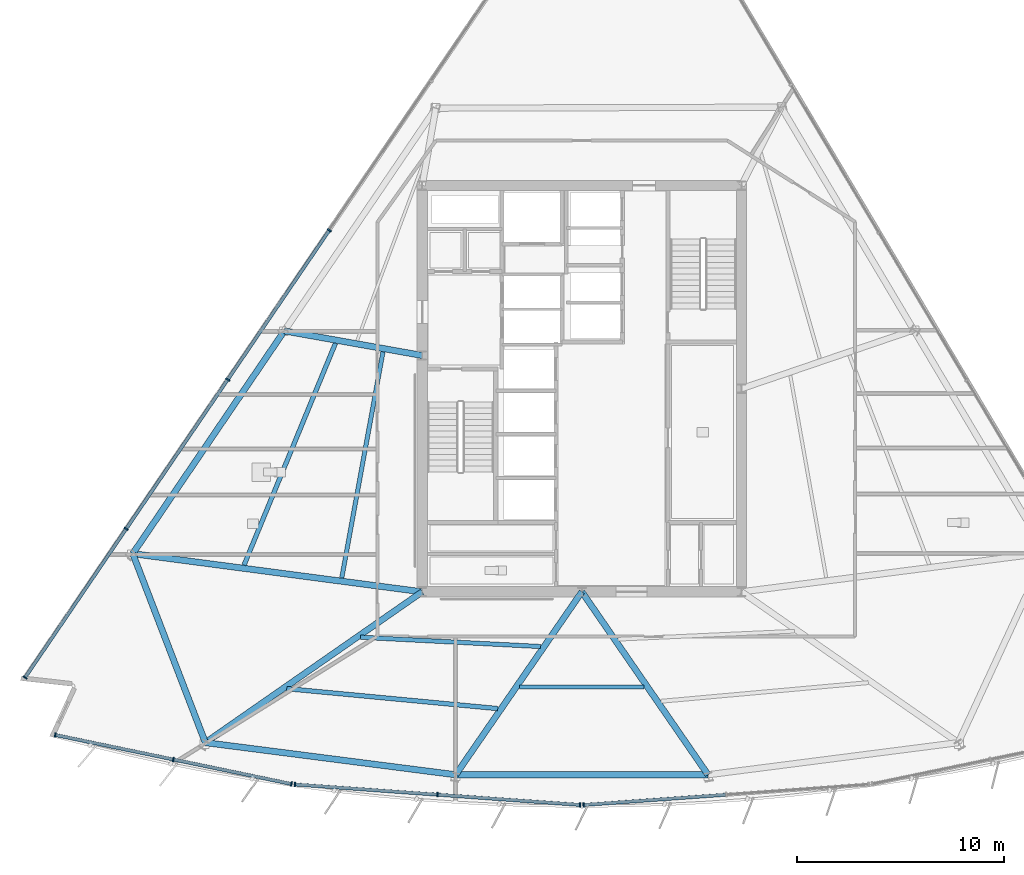
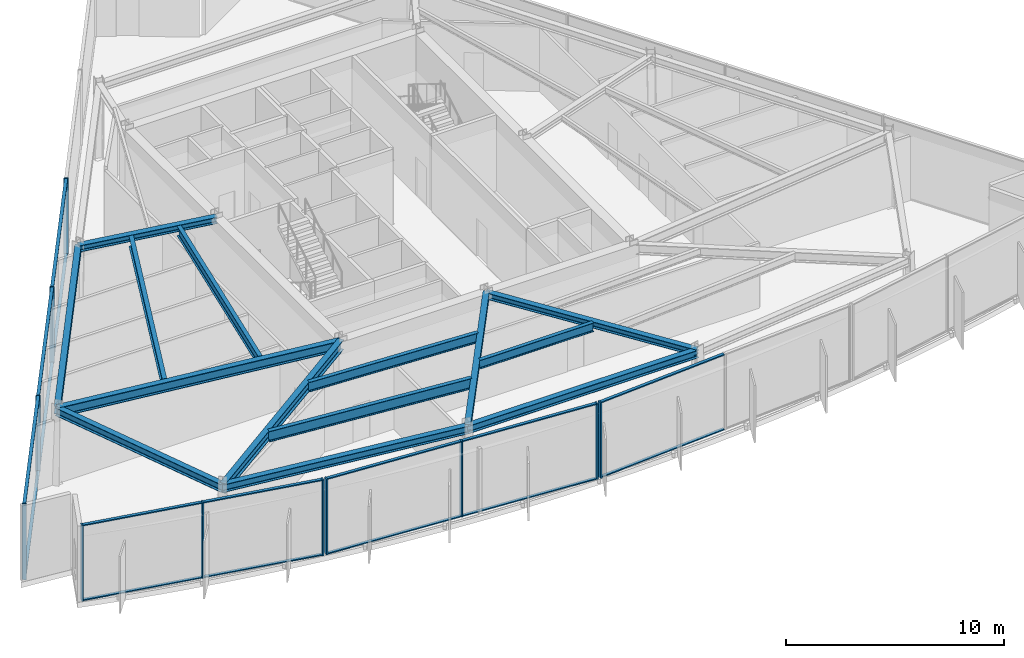
# One storey, part 2 of 14: 27 members, 14 beams, 4 elements without a shape of their own.
"""IFC4 building model written with IfcOpenShell, lengths in metres."""

from ifc_helpers import new_model, si_unit, direction, frame, origin, origin_2d, place, context, subcontext, project, spatial, rectangle, i_section, extrude, material, material_profile, profile_set, type_object, element, aggregate, save


model = new_model("IFC4")

# Units and contexts
model_context = context("Model", 3, precision=1e-05, world=origin(), true_north=direction((0.0, 1.0)))
body_context = subcontext(model_context, "Body", "Model", "MODEL_VIEW")
ifc_project = project(units=[si_unit("LENGTHUNIT", "METRE"), si_unit("AREAUNIT", "SQUARE_METRE"), si_unit("VOLUMEUNIT", "CUBIC_METRE"), si_unit("PLANEANGLEUNIT", "RADIAN"), si_unit("MASSUNIT", "GRAM", prefix="KILO")], contexts=[model_context])

# Site, building, storey
site_placement = place(None, origin())
site = spatial("IfcSite", under=ifc_project, at=site_placement, CompositionType="ELEMENT")
building_placement = place(site_placement, origin())
building = spatial("IfcBuilding", under=site, at=building_placement, Name="Savorim Split Tower", CompositionType="ELEMENT")
storey_placement = place(building_placement, frame((0.0, 0.0, 134.10009765625)))
storey = spatial("IfcBuildingStorey", under=building, at=storey_placement, Name="L35", CompositionType="ELEMENT", Elevation=134.10009765625)

# Beams
ifc_material_1 = material(Name="Steel S355", Category="steel")
ifc_material_profile_1 = material_profile(ifc_material_1, i_section(OverallWidth=0.199951171875, OverallDepth=0.5, WebThickness=0.01025390625, FlangeThickness=0.01611328125, FilletRadius=0.02099609375, at=origin_2d()), Name="IPE 500")
ifc_profile_set_1 = profile_set([ifc_material_profile_1], Name="Steel S355")
beam_type_1 = type_object("IfcBeamType", Name="BM-JST-IPE500", PredefinedType="JOIST", material=ifc_profile_set_1)
beam_1_placement = place(storey_placement, frame((-3.00439453125, -13.9873046875, 4.0), z_axis=(1.0, 0.0, 0.0), x_axis=(0.0, 1.0, 0.0)))
element("IfcBeam", 1, at=beam_1_placement, inside=storey, type_object=beam_type_1, Name="L35 Secondary Floor Joist JS-03", PredefinedType="JOIST", context=body_context, shape_type="SweptSolid", body=[
    extrude(i_section(OverallWidth=0.199951171875, OverallDepth=0.5, WebThickness=0.01025390625, FlangeThickness=0.01611328125, FilletRadius=0.02099609375, at=origin_2d()), origin(), (0.0, 0.0, 1.0), 6.0087890625),
])
ifc_material_profile_2 = material_profile(ifc_material_1, i_section(OverallWidth=0.2099609375, OverallDepth=0.550048828125, WebThickness=0.010986328125, FlangeThickness=0.01708984375, FilletRadius=0.02392578125, at=origin_2d()), Name="IPE 550")
ifc_profile_set_2 = profile_set([ifc_material_profile_2], Name="Steel S355")
beam_type_2 = type_object("IfcBeamType", Name="BM-JST-IPE550", PredefinedType="JOIST", material=ifc_profile_set_2)
beam_2_placement = place(storey_placement, frame((-10.67724609375, -11.58984375, 3.974853515625), z_axis=(0.998671463808, -0.05152967471, 0.0), x_axis=(0.05152967471, 0.998671463808, 0.0)))
element("IfcBeam", 2, at=beam_2_placement, inside=storey, type_object=beam_type_2, Name="L35 Secondary Floor Joist JS-02", PredefinedType="JOIST", context=body_context, shape_type="SweptSolid", body=[
    extrude(i_section(OverallWidth=0.2099609375, OverallDepth=0.550048828125, WebThickness=0.010986328125, FlangeThickness=0.01708984375, FilletRadius=0.02392578125, at=origin_2d()), origin(), (0.0, 0.0, 1.0), 8.703369140625),
])
beam_3_placement = place(storey_placement, frame((-9.5908203125, 2.174072265625, 3.974853515625), z_axis=(-0.179470923249, -0.983763278288, 0.0), x_axis=(0.983763278288, -0.179470923249, 0.0)))
element("IfcBeam", 3, at=beam_3_placement, inside=storey, type_object=beam_type_2, Name="L35 Secondary Floor Joist JS-11", PredefinedType="JOIST", context=body_context, shape_type="SweptSolid", body=[
    extrude(i_section(OverallWidth=0.2099609375, OverallDepth=0.550048828125, WebThickness=0.010986328125, FlangeThickness=0.01708984375, FilletRadius=0.02392578125, at=origin_2d()), origin(), (0.0, 0.0, 1.0), 11.081298828125),
])
ifc_material_profile_3 = material_profile(ifc_material_1, i_section(OverallWidth=0.219970703125, OverallDepth=0.60009765625, WebThickness=0.011962890625, FlangeThickness=0.01904296875, FilletRadius=0.02392578125, at=origin_2d()), Name="IPE 600")
ifc_profile_set_3 = profile_set([ifc_material_profile_3], Name="Steel S355")
beam_type_3 = type_object("IfcBeamType", Name="BM-JST-IPE600", PredefinedType="JOIST", material=ifc_profile_set_3)
beam_4_placement = place(storey_placement, frame((-14.233154296875, -14.069091796875, 3.949951171875), z_axis=(0.995564745807, -0.094078886614, 0.0), x_axis=(0.094078886614, 0.995564745807, 0.0)))
element("IfcBeam", 4, at=beam_4_placement, inside=storey, type_object=beam_type_3, Name="L35 Secondary Floor Joist JS-01", PredefinedType="JOIST", context=body_context, shape_type="SweptSolid", body=[
    extrude(i_section(OverallWidth=0.219970703125, OverallDepth=0.60009765625, WebThickness=0.011962890625, FlangeThickness=0.01904296875, FilletRadius=0.02392578125, at=origin_2d()), origin(), (0.0, 0.0, 1.0), 10.224609375),
])
beam_5_placement = place(storey_placement, frame((-11.884033203125, 2.586181640625, 3.949951171875), z_axis=(-0.381084087658, -0.9245403821, 0.0), x_axis=(0.9245403821, -0.381084087658, 0.0)))
element("IfcBeam", 5, at=beam_5_placement, inside=storey, type_object=beam_type_3, Name="L35 Secondary Floor Joist JS-10", PredefinedType="JOIST", context=body_context, shape_type="SweptSolid", body=[
    extrude(i_section(OverallWidth=0.219970703125, OverallDepth=0.60009765625, WebThickness=0.011962890625, FlangeThickness=0.01904296875, FilletRadius=0.02392578125, at=origin_2d()), origin(), (0.0, 0.0, 1.0), 11.570068359375),
])
ifc_material_profile_4 = material_profile(ifc_material_1, i_section(OverallWidth=0.300048828125, OverallDepth=0.360107421875, WebThickness=0.012451171875, FlangeThickness=0.0224609375, FilletRadius=0.027099609375, at=origin_2d()), Name="HEB 360")
ifc_profile_set_4 = profile_set([ifc_material_profile_4], Name="Steel S355")
beam_type_4 = type_object("IfcBeamType", Name="BM-PRI-HEB360", PredefinedType="BEAM", material=ifc_profile_set_4)
for number, where, z_axis, x_axis, name in (
    (6, (-6.085205078125, -18.221923828125, 4.06982421875), (0.567799495982, 0.823166892169, 0.0), (-0.823166892169, 0.567799495982, 0.0), "L35 Primary Floor Girder RG-02"),
    (7, (6.085205078125, -18.221923828125, 4.06982421875), (-0.567799495982, 0.823166892169, 0.0), (-0.823166892169, -0.567799495982, 0.0), "L35 Primary Floor Girder RG-03"),
):
    element("IfcBeam", number, at=place(storey_placement, frame(where, z_axis=z_axis, x_axis=x_axis)), inside=storey, type_object=beam_type_4, Name=name, PredefinedType="BEAM", context=body_context, shape_type="SweptSolid", body=[
        extrude(i_section(OverallWidth=0.300048828125, OverallDepth=0.360107421875, WebThickness=0.012451171875, FlangeThickness=0.0224609375, FilletRadius=0.027099609375, at=origin_2d()), origin(), (0.0, 0.0, 1.0), 10.71728515625),
    ])
beam_6_placement = place(storey_placement, frame((-14.35009765625, 3.183837890625, 4.06982421875), z_axis=(0.984521925517, -0.175261456619, 0.0), x_axis=(0.175261456619, 0.984521925517, 0.0)))
element("IfcBeam", 8, at=beam_6_placement, inside=storey, type_object=beam_type_4, Name="L35 Primary Floor Girder RG-09", PredefinedType="BEAM", context=body_context, shape_type="SweptSolid", body=[
    extrude(i_section(OverallWidth=0.300048828125, OverallDepth=0.360107421875, WebThickness=0.012451171875, FlangeThickness=0.0224609375, FilletRadius=0.027099609375, at=origin_2d()), origin(), (0.0, 0.0, 1.0), 6.754638671875),
])
ifc_material_profile_5 = material_profile(ifc_material_1, i_section(OverallWidth=0.300048828125, OverallDepth=0.550048828125, WebThickness=0.014892578125, FlangeThickness=0.029052734375, FilletRadius=0.027099609375, at=origin_2d()), Name="HEB 550")
ifc_profile_set_5 = profile_set([ifc_material_profile_5], Name="Steel S355")
beam_type_5 = type_object("IfcBeamType", Name="BM-PRI-HEB550", PredefinedType="BEAM", material=ifc_profile_set_5)
beam_7_placement = place(storey_placement, frame((-18.156982421875, -16.672119140625, 3.974853515625), z_axis=(0.82098762622, 0.57094598483, 0.0), x_axis=(-0.57094598483, 0.82098762622, 0.0)))
element("IfcBeam", 9, at=beam_7_placement, inside=storey, type_object=beam_type_5, Name="L35 Primary Floor Girder RG-01", PredefinedType="BEAM", context=body_context, shape_type="SweptSolid", body=[
    extrude(i_section(OverallWidth=0.300048828125, OverallDepth=0.550048828125, WebThickness=0.014892578125, FlangeThickness=0.029052734375, FilletRadius=0.027099609375, at=origin_2d()), origin(), (0.0, 0.0, 1.0), 12.737060546875),
])
beam_8_placement = place(storey_placement, frame((-21.65869140625, -7.559326171875, 3.974853515625), z_axis=(0.991418433032, -0.130726778603, 0.0), x_axis=(0.130726778603, 0.991418433032, 0.0)))
element("IfcBeam", 10, at=beam_8_placement, inside=storey, type_object=beam_type_5, Name="L35 Primary Floor Girder RG-10", PredefinedType="BEAM", context=body_context, shape_type="SweptSolid", body=[
    extrude(i_section(OverallWidth=0.300048828125, OverallDepth=0.550048828125, WebThickness=0.014892578125, FlangeThickness=0.029052734375, FilletRadius=0.027099609375, at=origin_2d()), origin(), (0.0, 0.0, 1.0), 14.07958984375),
])
ifc_material_profile_6 = material_profile(ifc_material_1, i_section(OverallWidth=0.300048828125, OverallDepth=0.43994140625, WebThickness=0.011474609375, FlangeThickness=0.02099609375, FilletRadius=0.027099609375, at=origin_2d()), Name="HEA 450")
ifc_profile_set_6 = profile_set([ifc_material_profile_6], Name="Steel S355")
beam_type_6 = type_object("IfcBeamType", Name="BM-SPN-HEA450", PredefinedType="SPANDREL", material=ifc_profile_set_6)
beam_9_placement = place(storey_placement, frame((-18.156982421875, -16.672119140625, 4.02978515625), z_axis=(0.99185946223, -0.127337375445, 0.0), x_axis=(0.127337375445, 0.99185946223, 0.0)))
element("IfcBeam", 11, at=beam_9_placement, inside=storey, type_object=beam_type_6, Name="L35 Perimeter Spandrel Beam 1", PredefinedType="SPANDREL", context=body_context, shape_type="SweptSolid", body=[
    extrude(i_section(OverallWidth=0.300048828125, OverallDepth=0.43994140625, WebThickness=0.011474609375, FlangeThickness=0.02099609375, FilletRadius=0.027099609375, at=origin_2d()), origin(), (0.0, 0.0, 1.0), 12.1708984375),
])
beam_10_placement = place(storey_placement, frame((-6.085205078125, -18.221923828125, 4.02978515625), z_axis=(1.0, 0.0, 0.0), x_axis=(0.0, 1.0, 0.0)))
element("IfcBeam", 12, at=beam_10_placement, inside=storey, type_object=beam_type_6, Name="L35 Perimeter Spandrel Beam 2", PredefinedType="SPANDREL", context=body_context, shape_type="SweptSolid", body=[
    extrude(i_section(OverallWidth=0.300048828125, OverallDepth=0.43994140625, WebThickness=0.011474609375, FlangeThickness=0.02099609375, FilletRadius=0.027099609375, at=origin_2d()), origin(), (0.0, 0.0, 1.0), 12.17041015625),
])
beam_11_placement = place(storey_placement, frame((-14.35009765625, 3.183837890625, 4.02978515625), z_axis=(-0.562480635631, -0.826810458655, 0.0), x_axis=(0.826810458655, -0.562480635631, 0.0)))
element("IfcBeam", 13, at=beam_11_placement, inside=storey, type_object=beam_type_6, Name="L35 Perimeter Spandrel Beam 9", PredefinedType="SPANDREL", context=body_context, shape_type="SweptSolid", body=[
    extrude(i_section(OverallWidth=0.300048828125, OverallDepth=0.43994140625, WebThickness=0.011474609375, FlangeThickness=0.02099609375, FilletRadius=0.027099609375, at=origin_2d()), origin(), (0.0, 0.0, 1.0), 12.993408203125),
])
beam_12_placement = place(storey_placement, frame((-21.65869140625, -7.559326171875, 4.02978515625), z_axis=(0.358692499445, -0.933455778728, 0.0), x_axis=(0.933455778728, 0.358692499445, 0.0)))
element("IfcBeam", 14, at=beam_12_placement, inside=storey, type_object=beam_type_6, Name="L35 Perimeter Spandrel Beam 10", PredefinedType="SPANDREL", context=body_context, shape_type="SweptSolid", body=[
    extrude(i_section(OverallWidth=0.300048828125, OverallDepth=0.43994140625, WebThickness=0.011474609375, FlangeThickness=0.02099609375, FilletRadius=0.027099609375, at=origin_2d()), origin(), (0.0, 0.0, 1.0), 9.762451171875),
])

# Curtain wall, members
ifc_material_2 = material(Name="Dark Ceramic-Fritted Insulated Glass", Category="glass")
curtain_wall_type = type_object("IfcCurtainWallType", Name="CW-SKY-ATRIUM", PredefinedType="NOTDEFINED", material=ifc_material_2)
curtain_wall_1_placement = place(storey_placement, origin())
curtain_wall_1 = element("IfcCurtainWall", 15, at=curtain_wall_1_placement, inside=storey, type_object=curtain_wall_type, Name="L35 Curtain Wall CW-L35-SF1", PredefinedType="NOTDEFINED")
ifc_material_3 = material(Name="Charcoal Anodised Aluminium", Category="aluminium")
ifc_material_profile_7 = material_profile(ifc_material_3, rectangle(XDim=0.219970703125, YDim=0.070068359375, at=origin_2d()), Name="ALU-M 220x70")
ifc_profile_set_7 = profile_set([ifc_material_profile_7], Name="Charcoal Anodised Aluminium")
member_type_1 = type_object("IfcMemberType", Name="CWM-220x70", PredefinedType="MULLION", material=ifc_profile_set_7)
member_1_placement = place(storey_placement, frame((-25.3994140625, -16.30078125, 0.0), z_axis=(0.0, 0.0, 1.0), x_axis=(0.203209964912, 0.979135184824, 0.0)))
member_1 = element("IfcMember", 16, at=member_1_placement, type_object=member_type_1, Name="CW-05 mullion 1", PredefinedType="MULLION", context=body_context, shape_type="SweptSolid", body=[
    extrude(rectangle(XDim=0.219970703125, YDim=0.070068359375, at=origin_2d()), origin(), (0.0, 0.0, 1.0), 4.25),
])
member_2_placement = place(storey_placement, frame((-19.70458984375, -17.482666015625, 0.0), z_axis=(0.0, 0.0, 1.0), x_axis=(0.203209964912, 0.979135184824, 0.0)))
member_2 = element("IfcMember", 17, at=member_2_placement, type_object=member_type_1, Name="CW-05 mullion 2", PredefinedType="MULLION", context=body_context, shape_type="SweptSolid", body=[
    extrude(rectangle(XDim=0.219970703125, YDim=0.070068359375, at=origin_2d()), origin(), (0.0, 0.0, 1.0), 4.25),
])
member_3_placement = place(storey_placement, frame((-14.009521484375, -18.66455078125, 0.0), z_axis=(0.0, 0.0, 1.0), x_axis=(0.203209964912, 0.979135184824, 0.0)))
member_3 = element("IfcMember", 18, at=member_3_placement, type_object=member_type_1, Name="CW-05 mullion 3", PredefinedType="MULLION", context=body_context, shape_type="SweptSolid", body=[
    extrude(rectangle(XDim=0.219970703125, YDim=0.070068359375, at=origin_2d()), origin(), (0.0, 0.0, 1.0), 4.25),
])

curtain_wall_2_placement = place(storey_placement, origin())
curtain_wall_2 = element("IfcCurtainWall", 19, at=curtain_wall_2_placement, inside=storey, type_object=curtain_wall_type, Name="L35 Curtain Wall CW-L35-SF2", PredefinedType="NOTDEFINED")
member_4_placement = place(storey_placement, frame((-13.837646484375, -18.6884765625, 0.0), z_axis=(0.0, 0.0, 1.0), x_axis=(0.071560918492, 0.997436231017, 0.0)))
member_4 = element("IfcMember", 20, at=member_4_placement, type_object=member_type_1, Name="CW-05 mullion 1", PredefinedType="MULLION", context=body_context, shape_type="SweptSolid", body=[
    extrude(rectangle(XDim=0.219970703125, YDim=0.070068359375, at=origin_2d()), origin(), (0.0, 0.0, 1.0), 4.25),
])
member_5_placement = place(storey_placement, frame((-6.9619140625, -19.181884765625, 0.0), z_axis=(0.0, 0.0, 1.0), x_axis=(0.071560918492, 0.997436231017, 0.0)))
member_5 = element("IfcMember", 21, at=member_5_placement, type_object=member_type_1, Name="CW-05 mullion 2", PredefinedType="MULLION", context=body_context, shape_type="SweptSolid", body=[
    extrude(rectangle(XDim=0.219970703125, YDim=0.070068359375, at=origin_2d()), origin(), (0.0, 0.0, 1.0), 4.25),
])
member_6_placement = place(storey_placement, frame((-0.086181640625, -19.675048828125, 0.0), z_axis=(0.0, 0.0, 1.0), x_axis=(0.071560918492, 0.997436231017, 0.0)))
member_6 = element("IfcMember", 22, at=member_6_placement, type_object=member_type_1, Name="CW-05 mullion 3", PredefinedType="MULLION", context=body_context, shape_type="SweptSolid", body=[
    extrude(rectangle(XDim=0.219970703125, YDim=0.070068359375, at=origin_2d()), origin(), (0.0, 0.0, 1.0), 4.25),
])

# Curtain wall, member
curtain_wall_3_placement = place(storey_placement, origin())
curtain_wall_3 = element("IfcCurtainWall", 23, at=curtain_wall_3_placement, inside=storey, type_object=curtain_wall_type, Name="L35 Curtain Wall CW-L35-SF3", PredefinedType="NOTDEFINED")
member_7_placement = place(storey_placement, frame((0.086181640625, -19.675048828125, 0.0), z_axis=(0.0, 0.0, 1.0), x_axis=(-0.071560918492, 0.997436231017, 0.0)))
member_7 = element("IfcMember", 24, at=member_7_placement, type_object=member_type_1, Name="CW-05 mullion 1", PredefinedType="MULLION", context=body_context, shape_type="SweptSolid", body=[
    extrude(rectangle(XDim=0.219970703125, YDim=0.070068359375, at=origin_2d()), origin(), (0.0, 0.0, 1.0), 4.25),
])

# Curtain wall, members
curtain_wall_4_placement = place(storey_placement, origin())
curtain_wall_4 = element("IfcCurtainWall", 25, at=curtain_wall_4_placement, inside=storey, type_object=curtain_wall_type, Name="L35 Curtain Wall CW-L35-WEST", PredefinedType="NOTDEFINED")
member_8_placement = place(storey_placement, frame((-12.179443359375, 8.04052734375, 0.0), z_axis=(0.0, 0.0, 1.0), x_axis=(0.826819743155, -0.562466987768, 0.0)))
member_8 = element("IfcMember", 26, at=member_8_placement, type_object=member_type_1, Name="CW-05 mullion 3", PredefinedType="MULLION", context=body_context, shape_type="SweptSolid", body=[
    extrude(rectangle(XDim=0.219970703125, YDim=0.070068359375, at=origin_2d()), origin(), (0.0, 0.0, 1.0), 4.25),
])
member_9_placement = place(storey_placement, frame((-17.07763671875, 0.83984375, 0.0), z_axis=(0.0, 0.0, 1.0), x_axis=(0.826819743155, -0.562466987768, 0.0)))
member_9 = element("IfcMember", 27, at=member_9_placement, type_object=member_type_1, Name="CW-05 mullion 4", PredefinedType="MULLION", context=body_context, shape_type="SweptSolid", body=[
    extrude(rectangle(XDim=0.219970703125, YDim=0.070068359375, at=origin_2d()), origin(), (0.0, 0.0, 1.0), 4.25),
])
member_10_placement = place(storey_placement, frame((-21.97607421875, -6.360595703125, 0.0), z_axis=(0.0, 0.0, 1.0), x_axis=(0.826819743155, -0.562466987768, 0.0)))
member_10 = element("IfcMember", 28, at=member_10_placement, type_object=member_type_1, Name="CW-05 mullion 5", PredefinedType="MULLION", context=body_context, shape_type="SweptSolid", body=[
    extrude(rectangle(XDim=0.219970703125, YDim=0.070068359375, at=origin_2d()), origin(), (0.0, 0.0, 1.0), 4.25),
])
member_11_placement = place(storey_placement, frame((-26.854736328125, -13.5322265625, 0.0), z_axis=(0.0, 0.0, 1.0), x_axis=(0.826819743155, -0.562466987768, 0.0)))
member_11 = element("IfcMember", 29, at=member_11_placement, type_object=member_type_1, Name="CW-05 mullion 6", PredefinedType="MULLION", context=body_context, shape_type="SweptSolid", body=[
    extrude(rectangle(XDim=0.219970703125, YDim=0.070068359375, at=origin_2d()), origin(), (0.0, 0.0, 1.0), 4.25),
])

# Member
ifc_material_profile_8 = material_profile(ifc_material_3, rectangle(XDim=0.159912109375, YDim=0.06005859375, at=origin_2d()), Name="ALU-T 160x60")
ifc_profile_set_8 = profile_set([ifc_material_profile_8], Name="Charcoal Anodised Aluminium")
member_type_2 = type_object("IfcMemberType", Name="CWT-160x60", PredefinedType="USERDEFINED", material=ifc_profile_set_8)
member_12_placement = place(storey_placement, frame((-25.365234375, -16.307861328125, 0.02978515625), z_axis=(0.979134953981, -0.203211077189, 0.0), x_axis=(0.203211077189, 0.979134953981, 0.0)))
member_12 = element("IfcMember", 30, at=member_12_placement, type_object=member_type_2, Name="CW-05 transom 1.1", ObjectType="TRANSOM", PredefinedType="USERDEFINED", context=body_context, shape_type="SweptSolid", body=[
    extrude(rectangle(XDim=0.159912109375, YDim=0.06005859375, at=origin_2d()), origin(), (0.0, 0.0, 1.0), 5.746337890625),
])

member_13_placement = place(storey_placement, frame((-25.365234375, -16.307861328125, 4.219970703125), z_axis=(0.979134953981, -0.203211077189, 0.0), x_axis=(0.203211077189, 0.979134953981, 0.0)))
member_13 = element("IfcMember", 31, at=member_13_placement, type_object=member_type_2, Name="CW-05 transom 1.2", ObjectType="TRANSOM", PredefinedType="USERDEFINED", context=body_context, shape_type="SweptSolid", body=[
    extrude(rectangle(XDim=0.159912109375, YDim=0.06005859375, at=origin_2d()), origin(), (0.0, 0.0, 1.0), 5.746337890625),
])

member_14_placement = place(storey_placement, frame((-19.670166015625, -17.48974609375, 0.02978515625), z_axis=(0.979133199419, -0.20321953104, 0.0), x_axis=(0.20321953104, 0.979133199419, 0.0)))
member_14 = element("IfcMember", 32, at=member_14_placement, type_object=member_type_2, Name="CW-05 transom 2.1", ObjectType="TRANSOM", PredefinedType="USERDEFINED", context=body_context, shape_type="SweptSolid", body=[
    extrude(rectangle(XDim=0.159912109375, YDim=0.06005859375, at=origin_2d()), origin(), (0.0, 0.0, 1.0), 5.74609375),
])

member_15_placement = place(storey_placement, frame((-19.670166015625, -17.48974609375, 4.219970703125), z_axis=(0.979133199419, -0.20321953104, 0.0), x_axis=(0.20321953104, 0.979133199419, 0.0)))
member_15 = element("IfcMember", 33, at=member_15_placement, type_object=member_type_2, Name="CW-05 transom 2.2", ObjectType="TRANSOM", PredefinedType="USERDEFINED", context=body_context, shape_type="SweptSolid", body=[
    extrude(rectangle(XDim=0.159912109375, YDim=0.06005859375, at=origin_2d()), origin(), (0.0, 0.0, 1.0), 5.74609375),
])

aggregate(curtain_wall_1, [member_1, member_2, member_3, member_12, member_13, member_14, member_15])

member_16_placement = place(storey_placement, frame((-13.802734375, -18.69091796875, 0.02978515625), z_axis=(0.997436311062, -0.071559802781, 0.0), x_axis=(0.071559802781, 0.997436311062, 0.0)))
member_16 = element("IfcMember", 34, at=member_16_placement, type_object=member_type_2, Name="CW-05 transom 1.1", ObjectType="TRANSOM", PredefinedType="USERDEFINED", context=body_context, shape_type="SweptSolid", body=[
    extrude(rectangle(XDim=0.159912109375, YDim=0.06005859375, at=origin_2d()), origin(), (0.0, 0.0, 1.0), 6.823486328125),
])

member_17_placement = place(storey_placement, frame((-13.802734375, -18.69091796875, 4.219970703125), z_axis=(0.997436311062, -0.071559802781, 0.0), x_axis=(0.071559802781, 0.997436311062, 0.0)))
member_17 = element("IfcMember", 35, at=member_17_placement, type_object=member_type_2, Name="CW-05 transom 1.2", ObjectType="TRANSOM", PredefinedType="USERDEFINED", context=body_context, shape_type="SweptSolid", body=[
    extrude(rectangle(XDim=0.159912109375, YDim=0.06005859375, at=origin_2d()), origin(), (0.0, 0.0, 1.0), 6.823486328125),
])

member_18_placement = place(storey_placement, frame((-6.927001953125, -19.184326171875, 0.02978515625), z_axis=(0.997436311062, -0.071559802781, 0.0), x_axis=(0.071559802781, 0.997436311062, 0.0)))
member_18 = element("IfcMember", 36, at=member_18_placement, type_object=member_type_2, Name="CW-05 transom 2.1", ObjectType="TRANSOM", PredefinedType="USERDEFINED", context=body_context, shape_type="SweptSolid", body=[
    extrude(rectangle(XDim=0.159912109375, YDim=0.06005859375, at=origin_2d()), origin(), (0.0, 0.0, 1.0), 6.823486328125),
])

member_19_placement = place(storey_placement, frame((-6.927001953125, -19.184326171875, 4.219970703125), z_axis=(0.997436311062, -0.071559802781, 0.0), x_axis=(0.071559802781, 0.997436311062, 0.0)))
member_19 = element("IfcMember", 37, at=member_19_placement, type_object=member_type_2, Name="CW-05 transom 2.2", ObjectType="TRANSOM", PredefinedType="USERDEFINED", context=body_context, shape_type="SweptSolid", body=[
    extrude(rectangle(XDim=0.159912109375, YDim=0.06005859375, at=origin_2d()), origin(), (0.0, 0.0, 1.0), 6.823486328125),
])

aggregate(curtain_wall_2, [member_4, member_5, member_6, member_16, member_17, member_18, member_19])

member_20_placement = place(storey_placement, frame((0.12109375, -19.672607421875, 0.02978515625), z_axis=(0.997436311062, 0.071559802781, 0.0), x_axis=(-0.071559802781, 0.997436311062, 0.0)))
member_20 = element("IfcMember", 38, at=member_20_placement, type_object=member_type_2, Name="CW-05 transom 1.1", ObjectType="TRANSOM", PredefinedType="USERDEFINED", context=body_context, shape_type="SweptSolid", body=[
    extrude(rectangle(XDim=0.159912109375, YDim=0.06005859375, at=origin_2d()), origin(), (0.0, 0.0, 1.0), 6.823486328125),
])

member_21_placement = place(storey_placement, frame((0.12109375, -19.672607421875, 4.219970703125), z_axis=(0.997436311062, 0.071559802781, 0.0), x_axis=(-0.071559802781, 0.997436311062, 0.0)))
member_21 = element("IfcMember", 39, at=member_21_placement, type_object=member_type_2, Name="CW-05 transom 1.2", ObjectType="TRANSOM", PredefinedType="USERDEFINED", context=body_context, shape_type="SweptSolid", body=[
    extrude(rectangle(XDim=0.159912109375, YDim=0.06005859375, at=origin_2d()), origin(), (0.0, 0.0, 1.0), 6.823486328125),
])

aggregate(curtain_wall_3, [member_7, member_20, member_21])

member_22_placement = place(storey_placement, frame((-12.198974609375, 8.011474609375, 0.02978515625), z_axis=(-0.562482390058, -0.826809265112, 0.0), x_axis=(0.826809265112, -0.562482390058, 0.0)))
member_22 = element("IfcMember", 40, at=member_22_placement, type_object=member_type_2, Name="CW-05 transom 3.1", ObjectType="TRANSOM", PredefinedType="USERDEFINED", context=body_context, shape_type="SweptSolid", body=[
    extrude(rectangle(XDim=0.159912109375, YDim=0.06005859375, at=origin_2d()), origin(), (0.0, 0.0, 1.0), 8.638671875),
])

member_23_placement = place(storey_placement, frame((-12.198974609375, 8.011474609375, 4.219970703125), z_axis=(-0.562482390058, -0.826809265112, 0.0), x_axis=(0.826809265112, -0.562482390058, 0.0)))
member_23 = element("IfcMember", 41, at=member_23_placement, type_object=member_type_2, Name="CW-05 transom 3.2", ObjectType="TRANSOM", PredefinedType="USERDEFINED", context=body_context, shape_type="SweptSolid", body=[
    extrude(rectangle(XDim=0.159912109375, YDim=0.06005859375, at=origin_2d()), origin(), (0.0, 0.0, 1.0), 8.638671875),
])

member_24_placement = place(storey_placement, frame((-17.097412109375, 0.81103515625, 0.02978515625), z_axis=(-0.562469246987, -0.826818206255, 0.0), x_axis=(0.826818206255, -0.562469246987, 0.0)))
member_24 = element("IfcMember", 42, at=member_24_placement, type_object=member_type_2, Name="CW-05 transom 4.1", ObjectType="TRANSOM", PredefinedType="USERDEFINED", context=body_context, shape_type="SweptSolid", body=[
    extrude(rectangle(XDim=0.159912109375, YDim=0.06005859375, at=origin_2d()), origin(), (0.0, 0.0, 1.0), 8.638916015625),
])

member_25_placement = place(storey_placement, frame((-17.097412109375, 0.81103515625, 4.219970703125), z_axis=(-0.562469246987, -0.826818206255, 0.0), x_axis=(0.826818206255, -0.562469246987, 0.0)))
member_25 = element("IfcMember", 43, at=member_25_placement, type_object=member_type_2, Name="CW-05 transom 4.2", ObjectType="TRANSOM", PredefinedType="USERDEFINED", context=body_context, shape_type="SweptSolid", body=[
    extrude(rectangle(XDim=0.159912109375, YDim=0.06005859375, at=origin_2d()), origin(), (0.0, 0.0, 1.0), 8.638916015625),
])

member_26_placement = place(storey_placement, frame((-21.995849609375, -6.3896484375, 0.02978515625), z_axis=(-0.562468345249, -0.826818819689, 0.0), x_axis=(0.826818819689, -0.562468345249, 0.0)))
member_26 = element("IfcMember", 44, at=member_26_placement, type_object=member_type_2, Name="CW-05 transom 5.1", ObjectType="TRANSOM", PredefinedType="USERDEFINED", context=body_context, shape_type="SweptSolid", body=[
    extrude(rectangle(XDim=0.159912109375, YDim=0.06005859375, at=origin_2d()), origin(), (0.0, 0.0, 1.0), 8.603759765625),
])

member_27_placement = place(storey_placement, frame((-21.995849609375, -6.3896484375, 4.219970703125), z_axis=(-0.562468345249, -0.826818819689, 0.0), x_axis=(0.826818819689, -0.562468345249, 0.0)))
member_27 = element("IfcMember", 45, at=member_27_placement, type_object=member_type_2, Name="CW-05 transom 5.2", ObjectType="TRANSOM", PredefinedType="USERDEFINED", context=body_context, shape_type="SweptSolid", body=[
    extrude(rectangle(XDim=0.159912109375, YDim=0.06005859375, at=origin_2d()), origin(), (0.0, 0.0, 1.0), 8.603759765625),
])

aggregate(curtain_wall_4, [member_8, member_9, member_10, member_11, member_22, member_23, member_24, member_25, member_26, member_27])

save(model, "model.ifc")
